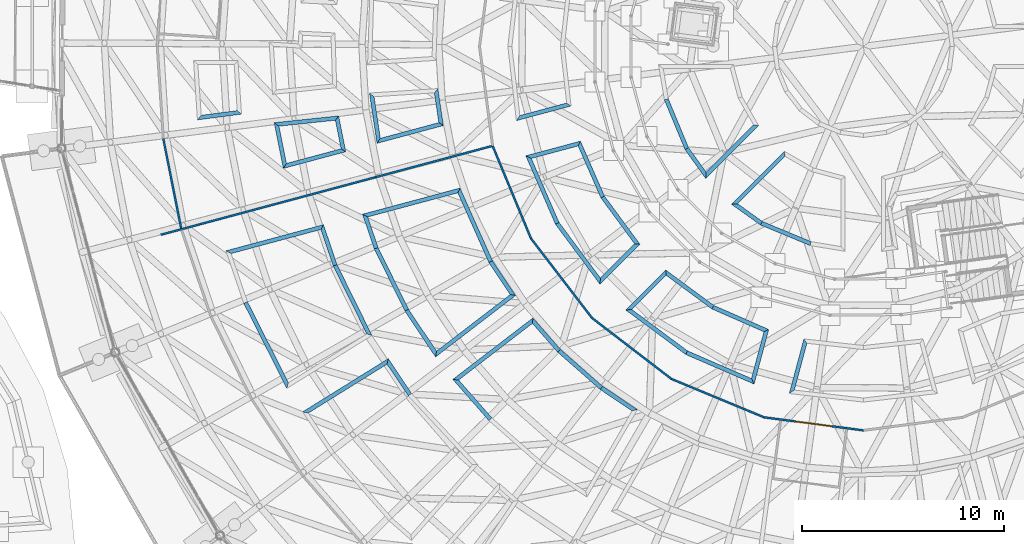
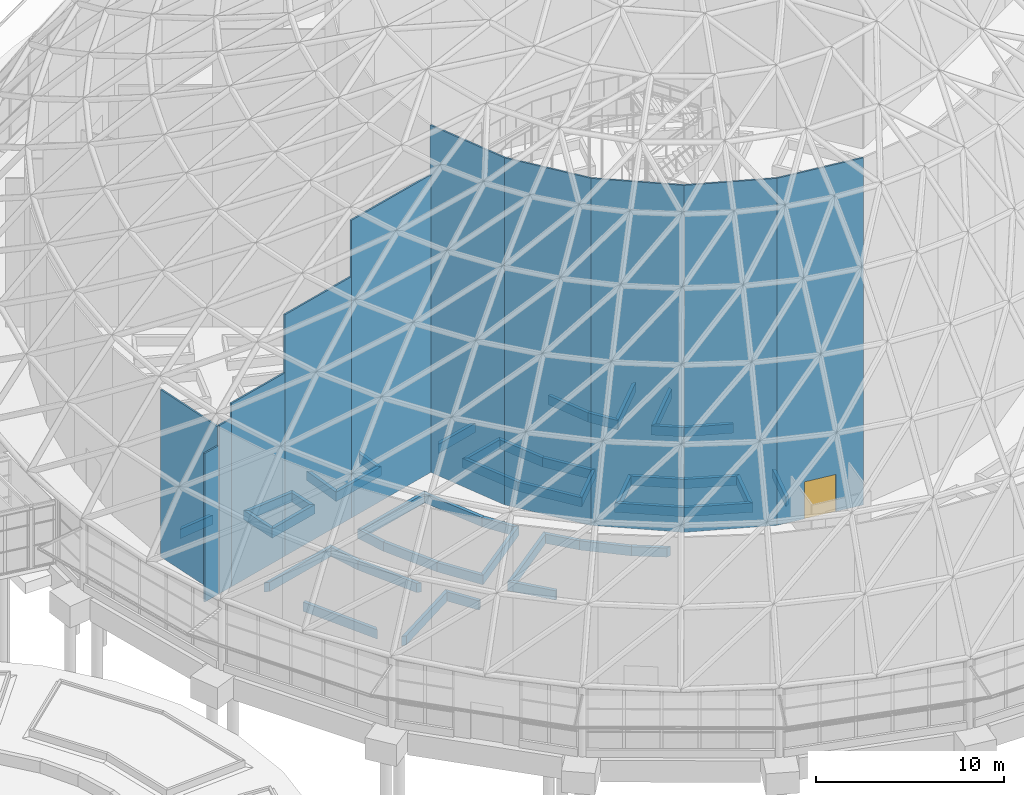
# One storey, part 168 of 226: 57 walls, 1 door, 1 opening.
"""IFC4 building model written with IfcOpenShell, lengths in metres."""

from ifc_helpers import new_model, si_unit, direction, frame, frame_2d, origin, place, context, subcontext, project, spatial, polyline, rectangle, outline, extrude, material, layer, layer_set, type_object, element, fill, save


model = new_model("IFC4")

# Units and contexts
model_context = context("Model", 3, precision=1e-05, world=origin(), true_north=direction((0.0, 1.0)))
body_context = subcontext(model_context, "Body", "Model", "MODEL_VIEW")
ifc_project = project(units=[si_unit("LENGTHUNIT", "METRE"), si_unit("AREAUNIT", "SQUARE_METRE"), si_unit("VOLUMEUNIT", "CUBIC_METRE"), si_unit("PLANEANGLEUNIT", "RADIAN"), si_unit("MASSUNIT", "GRAM", prefix="KILO")], contexts=[model_context])

# Site, building, storey
site_placement = place(None, origin())
site = spatial("IfcSite", under=ifc_project, at=site_placement, CompositionType="ELEMENT")
building_placement = place(site_placement, origin())
building = spatial("IfcBuilding", under=site, at=building_placement, Name="Ceibo Conservatory and Research Tower", CompositionType="ELEMENT")
storey_placement = place(building_placement, origin())
storey = spatial("IfcBuildingStorey", under=building, at=storey_placement, Name="L00", CompositionType="ELEMENT", Elevation=0.0)

# Walls
ifc_material_1 = material(Name="Aluminium and glass", Category="aluminium")
ifc_layer_1 = layer(ifc_material_1, 0.10009765625)
ifc_layer_set_1 = layer_set([ifc_layer_1], Name="Aluminium and glass")
wall_type_1 = type_object("IfcWallType", Name="Airlock screen wall 100", PredefinedType="PARTITIONING", material=ifc_layer_set_1)
wall_1_placement = place(storey_placement, frame((121.34912109375, 103.438232421875, 0.0), z_axis=(0.0, 0.0, 1.0), x_axis=(0.195078787454, -0.9807875747, 0.0)))
element("IfcWall", 1, at=wall_1_placement, inside=storey, type_object=wall_type_1, Name="Glazed partition O", PredefinedType="PARTITIONING", context=body_context, shape_type="SweptSolid", body=[
    extrude(outline(polyline([(-0.003173828125, -0.050048828125), (4.574951171875, -0.050048828125), (4.568603515625, 0.050048828125), (0.003173828125, 0.050048828125), (-0.003173828125, -0.050048828125)])), origin(), (0.0, 0.0, 1.0), 10.841552734375),
])
for number, where, z_axis, x_axis, name in (
    (2, (137.6474609375, 103.08251953125, 0.0), (0.0, 0.0, 1.0), (0.382650301762, -0.923893254961, 0.0), "Glazed partition I"),
    (3, (139.54541015625, 98.5, 0.0), (0.0, 0.0, 1.0), (0.608768356425, -0.793348024649, 0.0), "Glazed partition I"),
    (4, (142.56494140625, 94.56494140625, 0.0), (0.0, 0.0, 1.0), (0.793348024649, -0.608768356425, 0.0), "Glazed partition I"),
    (5, (146.5, 91.54541015625, 0.0), (0.0, 0.0, 1.0), (0.923893254961, -0.382650301762, 0.0), "Glazed partition I"),
):
    element("IfcWall", number, at=place(storey_placement, frame(where, z_axis=z_axis, x_axis=x_axis)), inside=storey, type_object=wall_type_1, Name=name, PredefinedType="PARTITIONING", context=body_context, shape_type="SweptSolid", body=[
        extrude(outline(polyline([(-0.006591796875, -0.050048828125), (4.966552734375, -0.050048828125), (4.953369140625, 0.050048828125), (0.006591796875, 0.050048828125), (-0.006591796875, -0.050048828125)])), origin(), (0.0, 0.0, 1.0), 22.484130859375),
    ])

# Wall, opening, door
wall_2_placement = place(storey_placement, frame((151.08251953125, 89.6474609375, 0.0), z_axis=(0.0, 0.0, 1.0), x_axis=(0.991443234469, -0.130538549191, 0.0)))
wall_2 = element("IfcWall", 6, at=wall_2_placement, inside=storey, type_object=wall_type_1, Name="Glazed partition I", PredefinedType="PARTITIONING", context=body_context, shape_type="SweptSolid", body=[
    extrude(outline(polyline([(-0.006591796875, -0.050048828125), (4.966552734375, -0.050048828125), (4.953369140625, 0.050048828125), (0.006591796875, 0.050048828125), (-0.006591796875, -0.050048828125)])), origin(), (0.0, 0.0, 1.0), 22.484130859375),
])
opening_placement = place(wall_2_placement, frame((1.580078125, 0.0, 0.0)))
opening = element("IfcOpeningElement", 7, at=opening_placement, cuts=wall_2, Name="Opening A-AL17", PredefinedType="OPENING", context=body_context, shape_type="SweptSolid", body=[
    extrude(rectangle(XDim=1.800048828125, YDim=2.39990234375, at=frame_2d((0.89990234375, 1.199951171875))), frame((0.0, 0.06005859375, 0.0), z_axis=(0.0, -1.0, 0.0), x_axis=(1.0, 0.0, 0.0)), (0.0, 0.0, 1.0), 0.1201171875),
])
door_type = type_object("IfcDoorType", Name="Glass sliding door 1800x2400", OperationType="DOUBLE_DOOR_SLIDING", PredefinedType="DOOR", material=ifc_material_1)
door_placement = place(opening_placement, origin())
door = element("IfcDoor", 8, at=door_placement, inside=storey, type_object=door_type, Name="Airlock door A-AL17", OperationType="DOUBLE_DOOR_SLIDING", OverallHeight=2.39990234375, OverallWidth=1.800048828125, PredefinedType="DOOR", context=body_context, shape_type="SweptSolid", body=[
    extrude(rectangle(XDim=1.800048828125, YDim=2.39990234375, at=frame_2d((0.89990234375, 1.199951171875))), frame((0.0, 0.02490234375, 0.0), z_axis=(0.0, -1.0, 0.0), x_axis=(1.0, 0.0, 0.0)), (0.0, 0.0, 1.0), 0.050048828125),
])
fill(opening, door)

# Walls
wall_3_placement = place(storey_placement, frame((137.64697265625, 103.082275390625, 0.0), z_axis=(0.0, 0.0, 1.0), x_axis=(-0.965928979726, -0.258807276027, 0.0)))
element("IfcWall", 9, at=wall_3_placement, inside=storey, type_object=wall_type_1, Name="Glazed partition R", PredefinedType="PARTITIONING", context=body_context, shape_type="SweptSolid", body=[
    extrude(rectangle(XDim=5.99951171875, YDim=0.10009765625, at=frame_2d((2.999755859375, 0.0))), origin(), (0.0, 0.0, 1.0), 19.278076171875),
])
wall_4_placement = place(storey_placement, frame((131.851806640625, 101.529541015625, 0.0), z_axis=(0.0, 0.0, 1.0), x_axis=(-0.965920588341, -0.258838592599, 0.0)))
element("IfcWall", 10, at=wall_4_placement, inside=storey, type_object=wall_type_1, Name="Glazed partition R", PredefinedType="PARTITIONING", context=body_context, shape_type="SweptSolid", body=[
    extrude(rectangle(XDim=5.0, YDim=0.10009765625, at=frame_2d((2.5, 0.0))), origin(), (0.0, 0.0, 1.0), 15.635498046875),
])
wall_5_placement = place(storey_placement, frame((127.022216796875, 100.2353515625, 0.0), z_axis=(0.0, 0.0, 1.0), x_axis=(-0.965934430412, -0.258786931944, 0.0)))
element("IfcWall", 11, at=wall_5_placement, inside=storey, type_object=wall_type_1, Name="Glazed partition R", PredefinedType="PARTITIONING", context=body_context, shape_type="SweptSolid", body=[
    extrude(rectangle(XDim=4.0, YDim=0.10009765625, at=frame_2d((2.0, 0.0))), origin(), (0.0, 0.0, 1.0), 11.876220703125),
])
wall_6_placement = place(storey_placement, frame((123.158447265625, 99.2001953125, 0.0), z_axis=(0.0, 0.0, 1.0), x_axis=(-0.965918983464, -0.258844581524, 0.0)))
element("IfcWall", 12, at=wall_6_placement, inside=storey, type_object=wall_type_1, Name="Glazed partition R", PredefinedType="PARTITIONING", context=body_context, shape_type="SweptSolid", body=[
    extrude(rectangle(XDim=0.89990234375, YDim=0.10009765625, at=frame_2d((0.449951171875, 0.0))), origin(), (0.0, 0.0, 1.0), 10.897705078125),
])
wall_7_placement = place(storey_placement, frame((122.240234375, 98.9541015625, 0.0), z_axis=(0.0, 0.0, 1.0), x_axis=(-0.965956357406, -0.258705074527, 0.0)))
element("IfcWall", 13, at=wall_7_placement, inside=storey, type_object=wall_type_1, Name="Glazed partition R", PredefinedType="PARTITIONING", context=body_context, shape_type="SweptSolid", body=[
    extrude(rectangle(XDim=1.04931640625, YDim=0.10009765625, at=frame_2d((0.524658203125, 0.0))), origin(), (0.0, 0.0, 1.0), 9.62109375),
])
ifc_material_2 = material(Name="Masonry blockwork", Category="masonry")
ifc_layer_2 = layer(ifc_material_2, 0.199951171875)
ifc_layer_set_2 = layer_set([ifc_layer_2], Name="Masonry blockwork")
wall_type_2 = type_object("IfcWallType", Name="Dome planter wall 200", PredefinedType="SOLIDWALL", material=ifc_layer_set_2)
wall_8_placement = place(storey_placement, frame((146.244384765625, 105.3876953125, 0.0), z_axis=(0.0, 0.0, 1.0), x_axis=(0.382716645748, -0.923865774378, 0.0)))
element("IfcWall", 14, at=wall_8_placement, inside=storey, type_object=wall_type_2, Name="Planter wall A-PB006", PredefinedType="SOLIDWALL", context=body_context, shape_type="SweptSolid", body=[
    extrude(outline(polyline([(-0.011474609375, -0.10009765625), (2.651123046875, -0.10009765625), (2.628173828125, 0.10009765625), (0.011474609375, 0.10009765625), (-0.011474609375, -0.10009765625)])), origin(), (0.0, 0.0, 1.0), 0.60009765625),
])
wall_9_placement = place(storey_placement, frame((147.254638671875, 102.948974609375, 0.0), z_axis=(0.0, 0.0, 1.0), x_axis=(0.581803244194, -0.813329567301, 0.0)))
element("IfcWall", 15, at=wall_9_placement, inside=storey, type_object=wall_type_2, Name="Planter wall A-PB006", PredefinedType="SOLIDWALL", context=body_context, shape_type="SweptSolid", body=[
    extrude(outline(polyline([(-0.011474609375, -0.10009765625), (1.75244140625, -0.10009765625), (1.5166015625, 0.10009765625), (0.011474609375, 0.10009765625), (-0.011474609375, -0.10009765625)])), origin(), (0.0, 0.0, 1.0), 0.60009765625),
])
wall_10_placement = place(storey_placement, frame((148.20556640625, 101.61962890625, 0.0), z_axis=(0.0, 0.0, 1.0), x_axis=(0.707106781187, 0.707106781187, 0.0)))
element("IfcWall", 16, at=wall_10_placement, inside=storey, type_object=wall_type_2, Name="Planter wall A-PB006", PredefinedType="SOLIDWALL", context=body_context, shape_type="SweptSolid", body=[
    extrude(outline(polyline([(-0.117919921875, -0.10009765625), (3.589111328125, -0.10009765625), (3.435791015625, 0.10009765625), (0.117919921875, 0.10009765625), (-0.117919921875, -0.10009765625)])), origin(), (0.0, 0.0, 1.0), 0.60009765625),
])
wall_11_placement = place(storey_placement, frame((150.948974609375, 99.254638671875, 0.0), z_axis=(0.0, 0.0, 1.0), x_axis=(0.923865774378, -0.382716645748, 0.0)))
element("IfcWall", 17, at=wall_11_placement, inside=storey, type_object=wall_type_2, Name="Planter wall A-PB007", PredefinedType="SOLIDWALL", context=body_context, shape_type="SweptSolid", body=[
    extrude(outline(polyline([(-0.011474609375, -0.10009765625), (2.651123046875, -0.10009765625), (2.628173828125, 0.10009765625), (0.011474609375, 0.10009765625), (-0.011474609375, -0.10009765625)])), origin(), (0.0, 0.0, 1.0), 0.60009765625),
])
wall_12_placement = place(storey_placement, frame((152.103271484375, 102.689208984375, 0.0), z_axis=(0.0, 0.0, 1.0), x_axis=(-0.707106781187, -0.707106781187, 0.0)))
element("IfcWall", 18, at=wall_12_placement, inside=storey, type_object=wall_type_2, Name="Planter wall A-PB007", PredefinedType="SOLIDWALL", context=body_context, shape_type="SweptSolid", body=[
    extrude(outline(polyline([(-0.07666015625, -0.10009765625), (3.63037109375, -0.10009765625), (3.39453125, 0.10009765625), (0.07666015625, 0.10009765625), (-0.07666015625, -0.10009765625)])), origin(), (0.0, 0.0, 1.0), 0.60009765625),
])
wall_13_placement = place(storey_placement, frame((149.61962890625, 100.20556640625, 0.0), z_axis=(0.0, 0.0, 1.0), x_axis=(0.813329567301, -0.581803244194, 0.0)))
element("IfcWall", 19, at=wall_13_placement, inside=storey, type_object=wall_type_2, Name="Planter wall A-PB007", PredefinedType="SOLIDWALL", context=body_context, shape_type="SweptSolid", body=[
    extrude(outline(polyline([(-0.117919921875, -0.10009765625), (1.64599609375, -0.10009765625), (1.623046875, 0.10009765625), (0.117919921875, 0.10009765625), (-0.117919921875, -0.10009765625)])), origin(), (0.0, 0.0, 1.0), 0.60009765625),
])
wall_14_placement = place(storey_placement, frame((138.909912109375, 104.4560546875, 0.0), z_axis=(0.0, 0.0, 1.0), x_axis=(0.965931693355, 0.258797147923, 0.0)))
element("IfcWall", 20, at=wall_14_placement, inside=storey, type_object=wall_type_2, Name="Planter wall A-PB015", PredefinedType="SOLIDWALL", context=body_context, shape_type="SweptSolid", body=[
    extrude(outline(polyline([(-0.115966796875, -0.10009765625), (2.68408203125, -0.10009765625), (2.51220703125, 0.10009765625), (0.115966796875, 0.10009765625), (-0.115966796875, -0.10009765625)])), origin(), (0.0, 0.0, 1.0), 0.60009765625),
])
wall_15_placement = place(storey_placement, frame((139.427490234375, 102.524169921875, 0.0), z_axis=(0.0, 0.0, 1.0), x_axis=(0.397376975647, -0.917655457797, 0.0)))
element("IfcWall", 21, at=wall_15_placement, inside=storey, type_object=wall_type_2, Name="Planter wall A-PB016", PredefinedType="SOLIDWALL", context=body_context, shape_type="SweptSolid", body=[
    extrude(outline(polyline([(-0.115966796875, -0.10009765625), (3.5791015625, -0.10009765625), (3.55615234375, 0.10009765625), (0.115966796875, 0.10009765625), (-0.115966796875, -0.10009765625)])), origin(), (0.0, 0.0, 1.0), 0.60009765625),
])
wall_16_placement = place(storey_placement, frame((140.84521484375, 99.250244140625, 0.0), z_axis=(0.0, 0.0, 1.0), x_axis=(0.596017773517, -0.802971240862, 0.0)))
element("IfcWall", 22, at=wall_16_placement, inside=storey, type_object=wall_type_2, Name="Planter wall A-PB016", PredefinedType="SOLIDWALL", context=body_context, shape_type="SweptSolid", body=[
    extrude(outline(polyline([(-0.011474609375, -0.10009765625), (3.683349609375, -0.10009765625), (3.451416015625, 0.10009765625), (0.011474609375, 0.10009765625), (-0.011474609375, -0.10009765625)])), origin(), (0.0, 0.0, 1.0), 0.60009765625),
])
wall_17_placement = place(storey_placement, frame((142.971435546875, 96.3857421875, 0.0), z_axis=(0.0, 0.0, 1.0), x_axis=(0.707106781187, 0.707106781187, 0.0)))
element("IfcWall", 23, at=wall_17_placement, inside=storey, type_object=wall_type_2, Name="Planter wall A-PB016", PredefinedType="SOLIDWALL", context=body_context, shape_type="SweptSolid", body=[
    extrude(outline(polyline([(-0.115966796875, -0.10009765625), (2.68408203125, -0.10009765625), (2.51220703125, 0.10009765625), (0.115966796875, 0.10009765625), (-0.115966796875, -0.10009765625)])), origin(), (0.0, 0.0, 1.0), 0.60009765625),
])
wall_18_placement = place(storey_placement, frame((144.80859375, 98.222900390625, 0.0), z_axis=(0.0, 0.0, 1.0), x_axis=(-0.592824278574, 0.805331841375, 0.0)))
element("IfcWall", 24, at=wall_18_placement, inside=storey, type_object=wall_type_2, Name="Planter wall A-PB016", PredefinedType="SOLIDWALL", context=body_context, shape_type="SweptSolid", body=[
    extrude(outline(polyline([(-0.0859375, -0.10009765625), (2.878173828125, -0.10009765625), (2.900634765625, 0.10009765625), (0.0859375, 0.10009765625), (-0.0859375, -0.10009765625)])), origin(), (0.0, 0.0, 1.0), 0.60009765625),
])
wall_19_placement = place(storey_placement, frame((143.095703125, 100.5498046875, 0.0), z_axis=(0.0, 0.0, 1.0), x_axis=(-0.401036028786, 0.916062281515, 0.0)))
element("IfcWall", 25, at=wall_19_placement, inside=storey, type_object=wall_type_2, Name="Planter wall A-PB016", PredefinedType="SOLIDWALL", context=body_context, shape_type="SweptSolid", body=[
    extrude(outline(polyline([(0.01123046875, -0.10009765625), (2.97509765625, -0.10009765625), (2.80322265625, 0.10009765625), (-0.01123046875, 0.10009765625), (0.01123046875, -0.10009765625)])), origin(), (0.0, 0.0, 1.0), 0.60009765625),
])
wall_20_placement = place(storey_placement, frame((141.93701171875, 103.196533203125, 0.0), z_axis=(0.0, 0.0, 1.0), x_axis=(-0.965931693355, -0.258797147923, 0.0)))
element("IfcWall", 26, at=wall_20_placement, inside=storey, type_object=wall_type_2, Name="Planter wall A-PB016", PredefinedType="SOLIDWALL", context=body_context, shape_type="SweptSolid", body=[
    extrude(outline(polyline([(-0.0859375, -0.10009765625), (2.714111328125, -0.10009765625), (2.482177734375, 0.10009765625), (0.0859375, 0.10009765625), (-0.0859375, -0.10009765625)])), origin(), (0.0, 0.0, 1.0), 0.60009765625),
])
wall_21_placement = place(storey_placement, frame((144.3857421875, 94.971435546875, 0.0), z_axis=(0.0, 0.0, 1.0), x_axis=(0.802971240862, -0.596017773517, 0.0)))
element("IfcWall", 27, at=wall_21_placement, inside=storey, type_object=wall_type_2, Name="Planter wall A-PB017", PredefinedType="SOLIDWALL", context=body_context, shape_type="SweptSolid", body=[
    extrude(outline(polyline([(-0.115966796875, -0.10009765625), (3.578857421875, -0.10009765625), (3.555908203125, 0.10009765625), (0.115966796875, 0.10009765625), (-0.115966796875, -0.10009765625)])), origin(), (0.0, 0.0, 1.0), 0.60009765625),
])
wall_22_placement = place(storey_placement, frame((147.250244140625, 92.84521484375, 0.0), z_axis=(0.0, 0.0, 1.0), x_axis=(0.917655457797, -0.397376975647, 0.0)))
element("IfcWall", 28, at=wall_22_placement, inside=storey, type_object=wall_type_2, Name="Planter wall A-PB017", PredefinedType="SOLIDWALL", context=body_context, shape_type="SweptSolid", body=[
    extrude(outline(polyline([(-0.011474609375, -0.10009765625), (3.68359375, -0.10009765625), (3.45166015625, 0.10009765625), (0.011474609375, 0.10009765625), (-0.011474609375, -0.10009765625)])), origin(), (0.0, 0.0, 1.0), 0.60009765625),
])
wall_23_placement = place(storey_placement, frame((150.524169921875, 91.427490234375, 0.0), z_axis=(0.0, 0.0, 1.0), x_axis=(0.258797147923, 0.965931693355, 0.0)))
element("IfcWall", 29, at=wall_23_placement, inside=storey, type_object=wall_type_2, Name="Planter wall A-PB017", PredefinedType="SOLIDWALL", context=body_context, shape_type="SweptSolid", body=[
    extrude(outline(polyline([(-0.115966796875, -0.10009765625), (2.68408203125, -0.10009765625), (2.51220703125, 0.10009765625), (0.115966796875, 0.10009765625), (-0.115966796875, -0.10009765625)])), origin(), (0.0, 0.0, 1.0), 0.60009765625),
])
wall_24_placement = place(storey_placement, frame((151.196533203125, 93.93701171875, 0.0), z_axis=(0.0, 0.0, 1.0), x_axis=(-0.916062281515, 0.401036028786, 0.0)))
element("IfcWall", 30, at=wall_24_placement, inside=storey, type_object=wall_type_2, Name="Planter wall A-PB017", PredefinedType="SOLIDWALL", context=body_context, shape_type="SweptSolid", body=[
    extrude(outline(polyline([(-0.0859375, -0.10009765625), (2.8779296875, -0.10009765625), (2.900390625, 0.10009765625), (0.0859375, 0.10009765625), (-0.0859375, -0.10009765625)])), origin(), (0.0, 0.0, 1.0), 0.60009765625),
])
wall_25_placement = place(storey_placement, frame((148.5498046875, 95.095703125, 0.0), z_axis=(0.0, 0.0, 1.0), x_axis=(-0.805331841375, 0.592824278574, 0.0)))
element("IfcWall", 31, at=wall_25_placement, inside=storey, type_object=wall_type_2, Name="Planter wall A-PB017", PredefinedType="SOLIDWALL", context=body_context, shape_type="SweptSolid", body=[
    extrude(outline(polyline([(0.01123046875, -0.10009765625), (2.975341796875, -0.10009765625), (2.803466796875, 0.10009765625), (-0.01123046875, 0.10009765625), (0.01123046875, -0.10009765625)])), origin(), (0.0, 0.0, 1.0), 0.60009765625),
])
for number, where, z_axis, x_axis, name in (
    (32, (146.222900390625, 96.80859375, 0.0), (0.0, 0.0, 1.0), (-0.707106781187, -0.707106781187, 0.0), "Planter wall A-PB017"),
    (33, (153.12841796875, 93.41943359375, 0.0), (0.0, 0.0, 1.0), (-0.258797147923, -0.965931693355, 0.0), "Planter wall A-PB018"),
):
    element("IfcWall", number, at=place(storey_placement, frame(where, z_axis=z_axis, x_axis=x_axis)), inside=storey, type_object=wall_type_2, Name=name, PredefinedType="SOLIDWALL", context=body_context, shape_type="SweptSolid", body=[
        extrude(outline(polyline([(-0.0859375, -0.10009765625), (2.714111328125, -0.10009765625), (2.482177734375, 0.10009765625), (0.0859375, 0.10009765625), (-0.0859375, -0.10009765625)])), origin(), (0.0, 0.0, 1.0), 0.60009765625),
    ])
wall_26_placement = place(storey_placement, frame((135.981201171875, 100.8759765625, 0.0), z_axis=(0.0, 0.0, 1.0), x_axis=(-0.965924931785, -0.258822383414, 0.0)))
element("IfcWall", 34, at=wall_26_placement, inside=storey, type_object=wall_type_2, Name="Planter wall A-PB047", PredefinedType="SOLIDWALL", context=body_context, shape_type="SweptSolid", body=[
    extrude(outline(polyline([(-0.08544921875, -0.10009765625), (4.91455078125, -0.10009765625), (4.701171875, 0.10009765625), (0.08544921875, 0.10009765625), (-0.08544921875, -0.10009765625)])), origin(), (0.0, 0.0, 1.0), 0.60009765625),
])
wall_27_placement = place(storey_placement, frame((131.337158203125, 99.631591796875, 0.0), z_axis=(0.0, 0.0, 1.0), x_axis=(0.321447201885, -0.946927503244, 0.0)))
element("IfcWall", 35, at=wall_27_placement, inside=storey, type_object=wall_type_2, Name="Planter wall A-PB047", PredefinedType="SOLIDWALL", context=body_context, shape_type="SweptSolid", body=[
    extrude(outline(polyline([(-0.106689453125, -0.10009765625), (1.717041015625, -0.10009765625), (1.703857421875, 0.10009765625), (0.106689453125, 0.10009765625), (-0.106689453125, -0.10009765625)])), origin(), (0.0, 0.0, 1.0), 0.60009765625),
])
wall_28_placement = place(storey_placement, frame((131.886962890625, 98.011962890625, 0.0), z_axis=(0.0, 0.0, 1.0), x_axis=(0.442315336138, -0.896859600728, 0.0)))
element("IfcWall", 36, at=wall_28_placement, inside=storey, type_object=wall_type_2, Name="Planter wall A-PB047", PredefinedType="SOLIDWALL", context=body_context, shape_type="SweptSolid", body=[
    extrude(outline(polyline([(-0.006591796875, -0.10009765625), (3.42041015625, -0.10009765625), (3.4072265625, 0.10009765625), (0.006591796875, 0.10009765625), (-0.006591796875, -0.10009765625)])), origin(), (0.0, 0.0, 1.0), 0.60009765625),
])
wall_29_placement = place(storey_placement, frame((133.39697265625, 94.9501953125, 0.0), z_axis=(0.0, 0.0, 1.0), x_axis=(0.555519489486, -0.831503515808, 0.0)))
element("IfcWall", 37, at=wall_29_placement, inside=storey, type_object=wall_type_2, Name="Planter wall A-PB047", PredefinedType="SOLIDWALL", context=body_context, shape_type="SweptSolid", body=[
    extrude(outline(polyline([(-0.006591796875, -0.10009765625), (2.718994140625, -0.10009765625), (2.505615234375, 0.10009765625), (0.006591796875, 0.10009765625), (-0.006591796875, -0.10009765625)])), origin(), (0.0, 0.0, 1.0), 0.60009765625),
])
wall_30_placement = place(storey_placement, frame((134.84814453125, 92.778076171875, 0.0), z_axis=(0.0, 0.0, 1.0), x_axis=(0.793353316499, 0.608761460015, 0.0)))
element("IfcWall", 38, at=wall_30_placement, inside=storey, type_object=wall_type_2, Name="Planter wall A-PB047", PredefinedType="SOLIDWALL", context=body_context, shape_type="SweptSolid", body=[
    extrude(outline(polyline([(-0.106689453125, -0.10009765625), (4.8935546875, -0.10009765625), (4.7060546875, 0.10009765625), (0.106689453125, 0.10009765625), (-0.106689453125, -0.10009765625)])), origin(), (0.0, 0.0, 1.0), 0.60009765625),
])
wall_31_placement = place(storey_placement, frame((138.656005859375, 95.699951171875, 0.0), z_axis=(0.0, 0.0, 1.0), x_axis=(-0.555550817894, 0.831482584747, 0.0)))
element("IfcWall", 39, at=wall_31_placement, inside=storey, type_object=wall_type_2, Name="Planter wall A-PB047", PredefinedType="SOLIDWALL", context=body_context, shape_type="SweptSolid", body=[
    extrude(outline(polyline([(-0.09375, -0.10009765625), (1.977783203125, -0.10009765625), (1.994873046875, 0.10009765625), (0.09375, 0.10009765625), (-0.09375, -0.10009765625)])), origin(), (0.0, 0.0, 1.0), 0.60009765625),
])
wall_32_placement = place(storey_placement, frame((137.552490234375, 97.3515625, 0.0), z_axis=(0.0, 0.0, 1.0), x_axis=(-0.407194840536, 0.913341317275, 0.0)))
element("IfcWall", 40, at=wall_32_placement, inside=storey, type_object=wall_type_2, Name="Planter wall A-PB047", PredefinedType="SOLIDWALL", context=body_context, shape_type="SweptSolid", body=[
    extrude(outline(polyline([(0.008544921875, -0.10009765625), (3.9443359375, -0.10009765625), (3.7734375, 0.10009765625), (-0.008544921875, 0.10009765625), (0.008544921875, -0.10009765625)])), origin(), (0.0, 0.0, 1.0), 0.60009765625),
])
wall_33_placement = place(storey_placement, frame((139.630126953125, 94.430419921875, 0.0), z_axis=(0.0, 0.0, 1.0), x_axis=(-0.793377882892, -0.608729443134, 0.0)))
element("IfcWall", 41, at=wall_33_placement, inside=storey, type_object=wall_type_2, Name="Planter wall A-PB048", PredefinedType="SOLIDWALL", context=body_context, shape_type="SweptSolid", body=[
    extrude(outline(polyline([(-0.09375, -0.10009765625), (4.90625, -0.10009765625), (4.69287109375, 0.10009765625), (0.09375, 0.10009765625), (-0.09375, -0.10009765625)])), origin(), (0.0, 0.0, 1.0), 0.60009765625),
])
wall_34_placement = place(storey_placement, frame((135.822265625, 91.5087890625, 0.0), z_axis=(0.0, 0.0, 1.0), x_axis=(0.659331253445, -0.751852577458, 0.0)))
element("IfcWall", 42, at=wall_34_placement, inside=storey, type_object=wall_type_2, Name="Planter wall A-PB048", PredefinedType="SOLIDWALL", context=body_context, shape_type="SweptSolid", body=[
    extrude(outline(polyline([(-0.106689453125, -0.10009765625), (2.618896484375, -0.10009765625), (2.605712890625, 0.10009765625), (0.106689453125, 0.10009765625), (-0.106689453125, -0.10009765625)])), origin(), (0.0, 0.0, 1.0), 0.60009765625),
])
wall_35_placement = place(storey_placement, frame((144.683349609375, 89.998779296875, 0.0), z_axis=(0.0, 0.0, 1.0), x_axis=(-0.831482080746, 0.555551572222, 0.0)))
element("IfcWall", 43, at=wall_35_placement, inside=storey, type_object=wall_type_2, Name="Planter wall A-PB048", PredefinedType="SOLIDWALL", context=body_context, shape_type="SweptSolid", body=[
    extrude(outline(polyline([(-0.09375, -0.10009765625), (1.97802734375, -0.10009765625), (1.9912109375, 0.10009765625), (0.09375, 0.10009765625), (-0.09375, -0.10009765625)])), origin(), (0.0, 0.0, 1.0), 0.60009765625),
])
wall_36_placement = place(storey_placement, frame((143.033203125, 91.101318359375, 0.0), z_axis=(0.0, 0.0, 1.0), x_axis=(-0.751816266253, 0.659372657757, 0.0)))
element("IfcWall", 44, at=wall_36_placement, inside=storey, type_object=wall_type_2, Name="Planter wall A-PB048", PredefinedType="SOLIDWALL", context=body_context, shape_type="SweptSolid", body=[
    extrude(outline(polyline([(0.006591796875, -0.10009765625), (2.779541015625, -0.10009765625), (2.792724609375, 0.10009765625), (-0.006591796875, 0.10009765625), (0.006591796875, -0.10009765625)])), origin(), (0.0, 0.0, 1.0), 0.60009765625),
])
wall_37_placement = place(storey_placement, frame((140.9384765625, 92.9384765625, 0.0), z_axis=(0.0, 0.0, 1.0), x_axis=(-0.65933168569, 0.751852198404, 0.0)))
element("IfcWall", 45, at=wall_37_placement, inside=storey, type_object=wall_type_2, Name="Planter wall A-PB048", PredefinedType="SOLIDWALL", context=body_context, shape_type="SweptSolid", body=[
    extrude(outline(polyline([(0.006591796875, -0.10009765625), (2.078125, -0.10009765625), (1.890625, 0.10009765625), (-0.006591796875, 0.10009765625), (0.006591796875, -0.10009765625)])), origin(), (0.0, 0.0, 1.0), 0.60009765625),
])
wall_38_placement = place(storey_placement, frame((129.211669921875, 99.06201171875, 0.0), z_axis=(0.0, 0.0, 1.0), x_axis=(-0.965926935388, -0.258814905854, 0.0)))
element("IfcWall", 46, at=wall_38_placement, inside=storey, type_object=wall_type_2, Name="Planter wall A-PB053", PredefinedType="SOLIDWALL", context=body_context, shape_type="SweptSolid", body=[
    extrude(outline(polyline([(-0.09375, -0.10009765625), (4.90625, -0.10009765625), (4.69287109375, 0.10009765625), (0.09375, 0.10009765625), (-0.09375, -0.10009765625)])), origin(), (0.0, 0.0, 1.0), 0.60009765625),
])
wall_39_placement = place(storey_placement, frame((125.419677734375, 95.333740234375, 0.0), z_axis=(0.0, 0.0, 1.0), x_axis=(0.451804646249, -0.892116899082, 0.0)))
element("IfcWall", 47, at=wall_39_placement, inside=storey, type_object=wall_type_2, Name="Planter wall A-PB053", PredefinedType="SOLIDWALL", context=body_context, shape_type="SweptSolid", body=[
    extrude(outline(polyline([(-0.007080078125, -0.10009765625), (4.718994140625, -0.10009765625), (4.500732421875, 0.10009765625), (0.007080078125, 0.10009765625), (-0.007080078125, -0.10009765625)])), origin(), (0.0, 0.0, 1.0), 0.60009765625),
])
wall_40_placement = place(storey_placement, frame((131.54736328125, 93.736328125, 0.0), z_axis=(0.0, 0.0, 1.0), x_axis=(-0.442309348223, 0.896862553837, 0.0)))
element("IfcWall", 48, at=wall_40_placement, inside=storey, type_object=wall_type_2, Name="Planter wall A-PB053", PredefinedType="SOLIDWALL", context=body_context, shape_type="SweptSolid", body=[
    extrude(outline(polyline([(-0.090576171875, -0.10009765625), (3.82177734375, -0.10009765625), (3.8349609375, 0.10009765625), (0.090576171875, 0.10009765625), (-0.090576171875, -0.10009765625)])), origin(), (0.0, 0.0, 1.0), 0.60009765625),
])
wall_41_placement = place(storey_placement, frame((129.85400390625, 97.169921875, 0.0), z_axis=(0.0, 0.0, 1.0), x_axis=(-0.32146460831, 0.946921594222, 0.0)))
element("IfcWall", 49, at=wall_41_placement, inside=storey, type_object=wall_type_2, Name="Planter wall A-PB053", PredefinedType="SOLIDWALL", context=body_context, shape_type="SweptSolid", body=[
    extrude(outline(polyline([(0.006591796875, -0.10009765625), (2.091796875, -0.10009765625), (1.904296875, 0.10009765625), (-0.006591796875, 0.10009765625), (0.006591796875, -0.10009765625)])), origin(), (0.0, 0.0, 1.0), 0.60009765625),
])
wall_42_placement = place(storey_placement, frame((132.45068359375, 92.4140625, 0.0), z_axis=(0.0, 0.0, 1.0), x_axis=(-0.849198262226, -0.528074153346, 0.0)))
element("IfcWall", 50, at=wall_42_placement, inside=storey, type_object=wall_type_2, Name="Planter wall A-PB054", PredefinedType="SOLIDWALL", context=body_context, shape_type="SweptSolid", body=[
    extrude(outline(polyline([(-0.0966796875, -0.10009765625), (4.895263671875, -0.10009765625), (4.688720703125, 0.10009765625), (0.0966796875, 0.10009765625), (-0.0966796875, -0.10009765625)])), origin(), (0.0, 0.0, 1.0), 0.60009765625),
])
wall_43_placement = place(storey_placement, frame((133.548828125, 90.7705078125, 0.0), z_axis=(0.0, 0.0, 1.0), x_axis=(-0.555554983319, 0.831479801624, 0.0)))
element("IfcWall", 51, at=wall_43_placement, inside=storey, type_object=wall_type_2, Name="Planter wall A-PB054", PredefinedType="SOLIDWALL", context=body_context, shape_type="SweptSolid", body=[
    extrude(outline(polyline([(0.008056640625, -0.10009765625), (2.0732421875, -0.10009765625), (1.8798828125, 0.10009765625), (-0.008056640625, 0.10009765625), (0.008056640625, -0.10009765625)])), origin(), (0.0, 0.0, 1.0), 0.60009765625),
])
wall_44_placement = place(storey_placement, frame((131.666015625, 105.603271484375, 0.0), z_axis=(0.0, 0.0, 1.0), x_axis=(0.148662613076, -0.988887975189, 0.0)))
element("IfcWall", 52, at=wall_44_placement, inside=storey, type_object=wall_type_2, Name="Planter wall A-PB065", PredefinedType="SOLIDWALL", context=body_context, shape_type="SweptSolid", body=[
    extrude(outline(polyline([(-0.108642578125, -0.10009765625), (2.409423828125, -0.10009765625), (2.185791015625, 0.10009765625), (0.108642578125, 0.10009765625), (-0.108642578125, -0.10009765625)])), origin(), (0.0, 0.0, 1.0), 0.60009765625),
])
wall_45_placement = place(storey_placement, frame((132.007568359375, 103.331298828125, 0.0), z_axis=(0.0, 0.0, 1.0), x_axis=(0.9659289741, 0.258807297027, 0.0)))
element("IfcWall", 53, at=wall_45_placement, inside=storey, type_object=wall_type_2, Name="Planter wall A-PB065", PredefinedType="SOLIDWALL", context=body_context, shape_type="SweptSolid", body=[
    extrude(outline(polyline([(-0.11181640625, -0.10009765625), (3.287841796875, -0.10009765625), (3.109619140625, 0.10009765625), (0.11181640625, 0.10009765625), (-0.11181640625, -0.10009765625)])), origin(), (0.0, 0.0, 1.0), 0.60009765625),
])
wall_46_placement = place(storey_placement, frame((135.097412109375, 104.1591796875, 0.0), z_axis=(0.0, 0.0, 1.0), x_axis=(-0.147411654904, 0.989075226663, 0.0)))
element("IfcWall", 54, at=wall_46_placement, inside=storey, type_object=wall_type_2, Name="Planter wall A-PB065", PredefinedType="SOLIDWALL", context=body_context, shape_type="SweptSolid", body=[
    extrude(outline(polyline([(-0.089111328125, -0.10009765625), (1.76318359375, -0.10009765625), (1.5791015625, 0.10009765625), (0.089111328125, 0.10009765625), (-0.089111328125, -0.10009765625)])), origin(), (0.0, 0.0, 1.0), 0.60009765625),
])
wall_47_placement = place(storey_placement, frame((126.957275390625, 104.14306640625, 0.0), z_axis=(0.0, 0.0, 1.0), x_axis=(0.195130303172, -0.98077732681, 0.0)))
element("IfcWall", 55, at=wall_47_placement, inside=storey, type_object=wall_type_2, Name="Planter wall A-PB070", PredefinedType="SOLIDWALL", context=body_context, shape_type="SweptSolid", body=[
    extrude(outline(polyline([(-0.109619140625, -0.10009765625), (2.202392578125, -0.10009765625), (1.989013671875, 0.10009765625), (0.109619140625, 0.10009765625), (-0.109619140625, -0.10009765625)])), origin(), (0.0, 0.0, 1.0), 0.60009765625),
])
wall_48_placement = place(storey_placement, frame((127.3662109375, 102.087646484375, 0.0), z_axis=(0.0, 0.0, 1.0), x_axis=(0.965926253902, 0.258817449225, 0.0)))
element("IfcWall", 56, at=wall_48_placement, inside=storey, type_object=wall_type_2, Name="Planter wall A-PB070", PredefinedType="SOLIDWALL", context=body_context, shape_type="SweptSolid", body=[
    extrude(outline(polyline([(-0.106689453125, -0.10009765625), (3.093505859375, -0.10009765625), (2.906005859375, 0.10009765625), (0.106689453125, 0.10009765625), (-0.106689453125, -0.10009765625)])), origin(), (0.0, 0.0, 1.0), 0.60009765625),
])
wall_49_placement = place(storey_placement, frame((130.263671875, 102.864013671875, 0.0), z_axis=(0.0, 0.0, 1.0), x_axis=(-0.19522012389, 0.980759452276, 0.0)))
element("IfcWall", 57, at=wall_49_placement, inside=storey, type_object=wall_type_2, Name="Planter wall A-PB070", PredefinedType="SOLIDWALL", context=body_context, shape_type="SweptSolid", body=[
    extrude(outline(polyline([(-0.09375, -0.10009765625), (1.7158203125, -0.10009765625), (1.533203125, 0.10009765625), (0.09375, 0.10009765625), (-0.09375, -0.10009765625)])), origin(), (0.0, 0.0, 1.0), 0.60009765625),
])
wall_50_placement = place(storey_placement, frame((129.946533203125, 104.457275390625, 0.0), z_axis=(0.0, 0.0, 1.0), x_axis=(-0.994521019341, -0.10453679777, 0.0)))
element("IfcWall", 58, at=wall_50_placement, inside=storey, type_object=wall_type_2, Name="Planter wall A-PB070", PredefinedType="SOLIDWALL", context=body_context, shape_type="SweptSolid", body=[
    extrude(outline(polyline([(-0.09130859375, -0.10009765625), (3.115234375, -0.10009765625), (2.89599609375, 0.10009765625), (0.09130859375, 0.10009765625), (-0.09130859375, -0.10009765625)])), origin(), (0.0, 0.0, 1.0), 0.60009765625),
])
wall_51_placement = place(storey_placement, frame((123.130859375, 104.4794921875, 0.0), z_axis=(0.0, 0.0, 1.0), x_axis=(0.991431426231, 0.130628201708, 0.0)))
element("IfcWall", 59, at=wall_51_placement, inside=storey, type_object=wall_type_2, Name="Planter wall A-PB073", PredefinedType="SOLIDWALL", context=body_context, shape_type="SweptSolid", body=[
    extrude(outline(polyline([(-0.106689453125, -0.10009765625), (2.093505859375, -0.10009765625), (1.906005859375, 0.10009765625), (0.106689453125, 0.10009765625), (-0.106689453125, -0.10009765625)])), origin(), (0.0, 0.0, 1.0), 0.60009765625),
])

save(model, "model.ifc")
